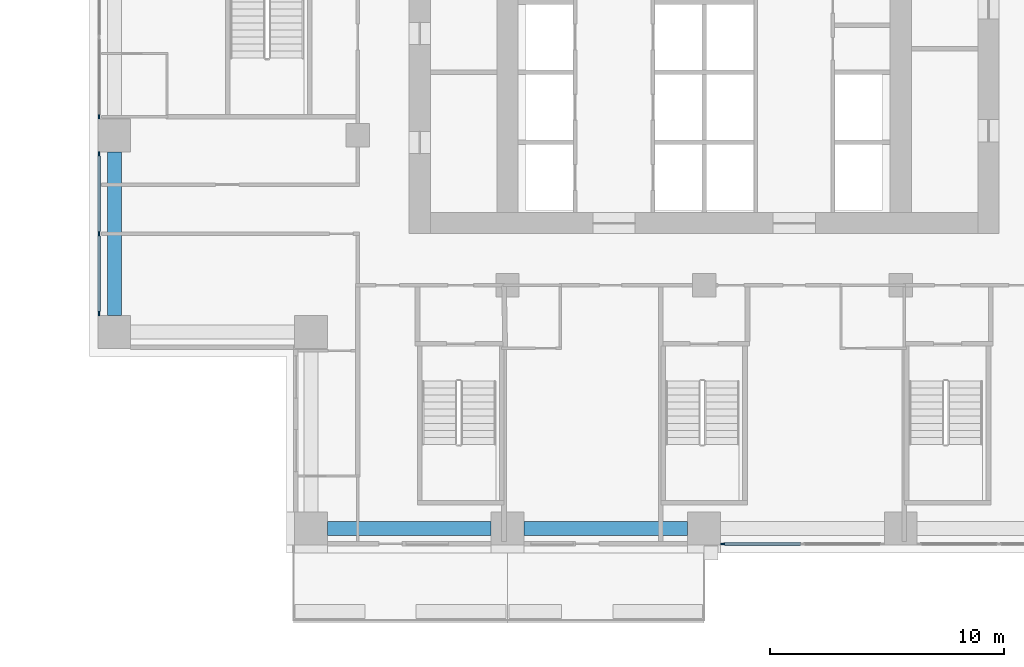
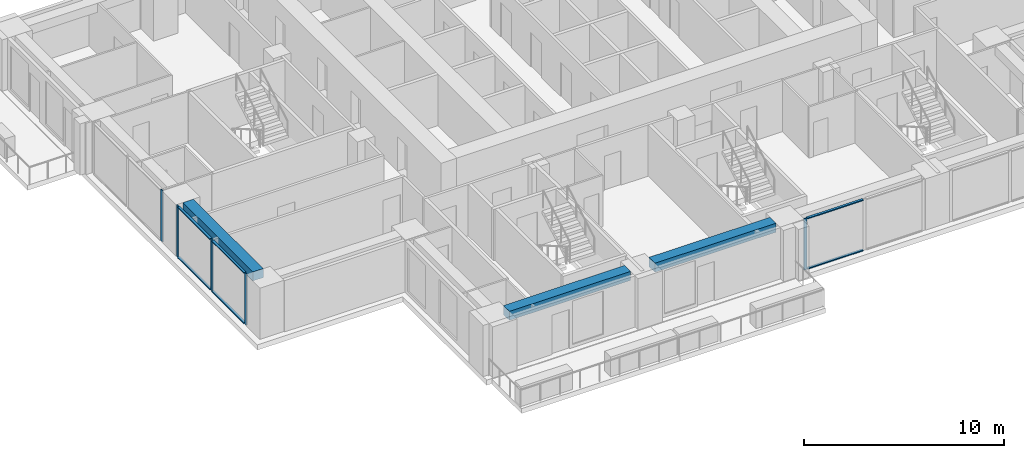
# One storey, part 2 of 16: 11 members, 3 beams, 3 elements without a shape of their own.
"""IFC4 building model written with IfcOpenShell, lengths in metres."""

from ifc_helpers import new_model, si_unit, direction, frame, origin, origin_2d, place, context, subcontext, project, spatial, rectangle, extrude, material, material_profile, profile_set, type_object, element, aggregate, save


model = new_model("IFC4")

# Units and contexts
model_context = context("Model", 3, precision=1e-05, world=origin(), true_north=direction((0.0, 1.0)))
body_context = subcontext(model_context, "Body", "Model", "MODEL_VIEW")
ifc_project = project(units=[si_unit("LENGTHUNIT", "METRE"), si_unit("AREAUNIT", "SQUARE_METRE"), si_unit("VOLUMEUNIT", "CUBIC_METRE"), si_unit("PLANEANGLEUNIT", "RADIAN"), si_unit("MASSUNIT", "GRAM", prefix="KILO")], contexts=[model_context])

# Site, building, storey
site_placement = place(None, origin())
site = spatial("IfcSite", under=ifc_project, at=site_placement, CompositionType="ELEMENT")
building_placement = place(site_placement, origin())
building = spatial("IfcBuilding", under=site, at=building_placement, Name="Vermilion Ogive Tower", CompositionType="ELEMENT")
storey_placement = place(building_placement, frame((0.0, 0.0, 44.85009765625)))
storey = spatial("IfcBuildingStorey", under=building, at=storey_placement, Name="L09", CompositionType="ELEMENT", Elevation=44.85009765625)

# Curtain wall, member
ifc_material_1 = material(Name="Low-iron laminated glazing in aluminium frame", Category="aluminium")
curtain_wall_type = type_object("IfcCurtainWallType", Name="Curtain wall CW7", PredefinedType="NOTDEFINED", material=ifc_material_1)
curtain_wall_1_placement = place(storey_placement, origin())
curtain_wall_1 = element("IfcCurtainWall", 1, at=curtain_wall_1_placement, inside=storey, type_object=curtain_wall_type, Name="Glazed skin S3", PredefinedType="NOTDEFINED")
ifc_material_2 = material(Name="Aluminium mullion", Category="aluminium")
ifc_material_profile_1 = material_profile(ifc_material_2, rectangle(XDim=0.06005859375, YDim=0.179931640625, at=origin_2d()), Name="AL 60x180")
ifc_profile_set_1 = profile_set([ifc_material_profile_1], Name="Aluminium mullion")
member_type_1 = type_object("IfcMemberType", Name="CW7 mullion 60x180", PredefinedType="MULLION", material=ifc_profile_set_1)
member_1_placement = place(storey_placement, frame((0.7900390625, -21.64990234375, 0.0), z_axis=(0.0, 0.0, 1.0), x_axis=(0.0, 1.0, 0.0)))
member_1 = element("IfcMember", 2, at=member_1_placement, type_object=member_type_1, Name="CW7-S3 mullion 1", PredefinedType="MULLION", context=body_context, shape_type="SweptSolid", body=[
    extrude(rectangle(XDim=0.06005859375, YDim=0.179931640625, at=origin_2d()), origin(), (0.0, 0.0, 1.0), 3.1298828125),
])

curtain_wall_2_placement = place(storey_placement, origin())
curtain_wall_2 = element("IfcCurtainWall", 3, at=curtain_wall_2_placement, inside=storey, type_object=curtain_wall_type, Name="Glazed skin W2", PredefinedType="NOTDEFINED")
member_2_placement = place(storey_placement, frame((-25.85009765625, -3.409912109375, 0.0), z_axis=(0.0, 0.0, 1.0), x_axis=(1.0, 0.0, 0.0)))
member_2 = element("IfcMember", 4, at=member_2_placement, type_object=member_type_1, Name="CW7-W2 mullion 3", PredefinedType="MULLION", context=body_context, shape_type="SweptSolid", body=[
    extrude(rectangle(XDim=0.06005859375, YDim=0.179931640625, at=origin_2d()), origin(), (0.0, 0.0, 1.0), 3.1298828125),
])
aggregate(curtain_wall_2, [member_2])

# Curtain wall, members
curtain_wall_3_placement = place(storey_placement, origin())
curtain_wall_3 = element("IfcCurtainWall", 5, at=curtain_wall_3_placement, inside=storey, type_object=curtain_wall_type, Name="Glazed skin W3", PredefinedType="NOTDEFINED")
member_3_placement = place(storey_placement, frame((-25.85009765625, -4.989990234375, 0.0), z_axis=(0.0, 0.0, 1.0), x_axis=(1.0, 0.0, 0.0)))
member_3 = element("IfcMember", 6, at=member_3_placement, type_object=member_type_1, Name="CW7-W3 mullion 1", PredefinedType="MULLION", context=body_context, shape_type="SweptSolid", body=[
    extrude(rectangle(XDim=0.06005859375, YDim=0.179931640625, at=origin_2d()), origin(), (0.0, 0.0, 1.0), 3.1298828125),
])
member_4_placement = place(storey_placement, frame((-25.85009765625, -8.39990234375, 0.0), z_axis=(0.0, 0.0, 1.0), x_axis=(1.0, 0.0, 0.0)))
member_4 = element("IfcMember", 7, at=member_4_placement, type_object=member_type_1, Name="CW7-W3 mullion 2", PredefinedType="MULLION", context=body_context, shape_type="SweptSolid", body=[
    extrude(rectangle(XDim=0.06005859375, YDim=0.179931640625, at=origin_2d()), origin(), (0.0, 0.0, 1.0), 3.1298828125),
])
member_5_placement = place(storey_placement, frame((-25.85009765625, -11.81005859375, 0.0), z_axis=(0.0, 0.0, 1.0), x_axis=(1.0, 0.0, 0.0)))
member_5 = element("IfcMember", 8, at=member_5_placement, type_object=member_type_1, Name="CW7-W3 mullion 3", PredefinedType="MULLION", context=body_context, shape_type="SweptSolid", body=[
    extrude(rectangle(XDim=0.06005859375, YDim=0.179931640625, at=origin_2d()), origin(), (0.0, 0.0, 1.0), 3.1298828125),
])

# Member
ifc_material_3 = material(Name="Aluminium transom", Category="aluminium")
ifc_material_profile_2 = material_profile(ifc_material_3, rectangle(XDim=0.139892578125, YDim=0.06005859375, at=origin_2d()), Name="AL 60x140")
ifc_profile_set_2 = profile_set([ifc_material_profile_2], Name="Aluminium transom")
member_type_2 = type_object("IfcMemberType", Name="CW7 transom 60x140", PredefinedType="USERDEFINED", material=ifc_profile_set_2)
member_6_placement = place(storey_placement, frame((0.8798828125, -21.64990234375, 0.02978515625), z_axis=(1.0, 0.0, 0.0), x_axis=(0.0, 1.0, 0.0)))
member_6 = element("IfcMember", 9, at=member_6_placement, type_object=member_type_2, Name="CW7-S3 transom 1.1", ObjectType="TRANSOM", PredefinedType="USERDEFINED", context=body_context, shape_type="SweptSolid", body=[
    extrude(rectangle(XDim=0.139892578125, YDim=0.06005859375, at=origin_2d()), origin(), (0.0, 0.0, 1.0), 3.230224609375),
])

member_7_placement = place(storey_placement, frame((0.8798828125, -21.64990234375, 3.099853515625), z_axis=(1.0, 0.0, 0.0), x_axis=(0.0, 1.0, 0.0)))
member_7 = element("IfcMember", 10, at=member_7_placement, type_object=member_type_2, Name="CW7-S3 transom 1.2", ObjectType="TRANSOM", PredefinedType="USERDEFINED", context=body_context, shape_type="SweptSolid", body=[
    extrude(rectangle(XDim=0.139892578125, YDim=0.06005859375, at=origin_2d()), origin(), (0.0, 0.0, 1.0), 3.230224609375),
])

aggregate(curtain_wall_1, [member_1, member_6, member_7])

member_8_placement = place(storey_placement, frame((-25.85009765625, -5.080078125, 0.02978515625), z_axis=(0.0, -1.0, 0.0), x_axis=(1.0, 0.0, 0.0)))
member_8 = element("IfcMember", 11, at=member_8_placement, type_object=member_type_2, Name="CW7-W3 transom 1.1", ObjectType="TRANSOM", PredefinedType="USERDEFINED", context=body_context, shape_type="SweptSolid", body=[
    extrude(rectangle(XDim=0.139892578125, YDim=0.06005859375, at=origin_2d()), origin(), (0.0, 0.0, 1.0), 3.22998046875),
])

member_9_placement = place(storey_placement, frame((-25.85009765625, -5.080078125, 3.099853515625), z_axis=(0.0, -1.0, 0.0), x_axis=(1.0, 0.0, 0.0)))
member_9 = element("IfcMember", 12, at=member_9_placement, type_object=member_type_2, Name="CW7-W3 transom 1.2", ObjectType="TRANSOM", PredefinedType="USERDEFINED", context=body_context, shape_type="SweptSolid", body=[
    extrude(rectangle(XDim=0.139892578125, YDim=0.06005859375, at=origin_2d()), origin(), (0.0, 0.0, 1.0), 3.22998046875),
])

member_10_placement = place(storey_placement, frame((-25.85009765625, -8.489990234375, 0.02978515625), z_axis=(0.0, -1.0, 0.0), x_axis=(1.0, 0.0, 0.0)))
member_10 = element("IfcMember", 13, at=member_10_placement, type_object=member_type_2, Name="CW7-W3 transom 2.1", ObjectType="TRANSOM", PredefinedType="USERDEFINED", context=body_context, shape_type="SweptSolid", body=[
    extrude(rectangle(XDim=0.139892578125, YDim=0.06005859375, at=origin_2d()), origin(), (0.0, 0.0, 1.0), 3.22998046875),
])

member_11_placement = place(storey_placement, frame((-25.85009765625, -8.489990234375, 3.099853515625), z_axis=(0.0, -1.0, 0.0), x_axis=(1.0, 0.0, 0.0)))
member_11 = element("IfcMember", 14, at=member_11_placement, type_object=member_type_2, Name="CW7-W3 transom 2.2", ObjectType="TRANSOM", PredefinedType="USERDEFINED", context=body_context, shape_type="SweptSolid", body=[
    extrude(rectangle(XDim=0.139892578125, YDim=0.06005859375, at=origin_2d()), origin(), (0.0, 0.0, 1.0), 3.22998046875),
])

aggregate(curtain_wall_3, [member_3, member_4, member_5, member_8, member_9, member_10, member_11])

# Beams
ifc_material_4 = material(Name="Concrete B45", Category="concrete")
ifc_material_profile_3 = material_profile(ifc_material_4, rectangle(XDim=0.60009765625, YDim=0.550048828125, at=origin_2d()), Name="600 x 550")
ifc_profile_set_3 = profile_set([ifc_material_profile_3], Name="Concrete B45")
beam_type = type_object("IfcBeamType", Name="Edge beam 600 x 550 B45", PredefinedType="BEAM", material=ifc_profile_set_3)
for number, where, z_axis, x_axis, name in (
    (15, (-16.10009765625, -21.0, 2.85498046875), (1.0, 0.0, 0.0), (0.0, 1.0, 0.0), "L09-EB-1"),
    (16, (-7.699951171875, -21.0, 2.85498046875), (1.0, 0.0, 0.0), (0.0, 1.0, 0.0), "L09-EB-2"),
    (17, (-25.199951171875, -4.89990234375, 2.85498046875), (0.0, -1.0, 0.0), (1.0, 0.0, 0.0), "L09-EB-16"),
):
    element("IfcBeam", number, at=place(storey_placement, frame(where, z_axis=z_axis, x_axis=x_axis)), inside=storey, type_object=beam_type, Name=name, PredefinedType="BEAM", context=body_context, shape_type="SweptSolid", body=[
        extrude(rectangle(XDim=0.60009765625, YDim=0.550048828125, at=origin_2d()), origin(), (0.0, 0.0, 1.0), 7.0),
    ])

save(model, "model.ifc")
